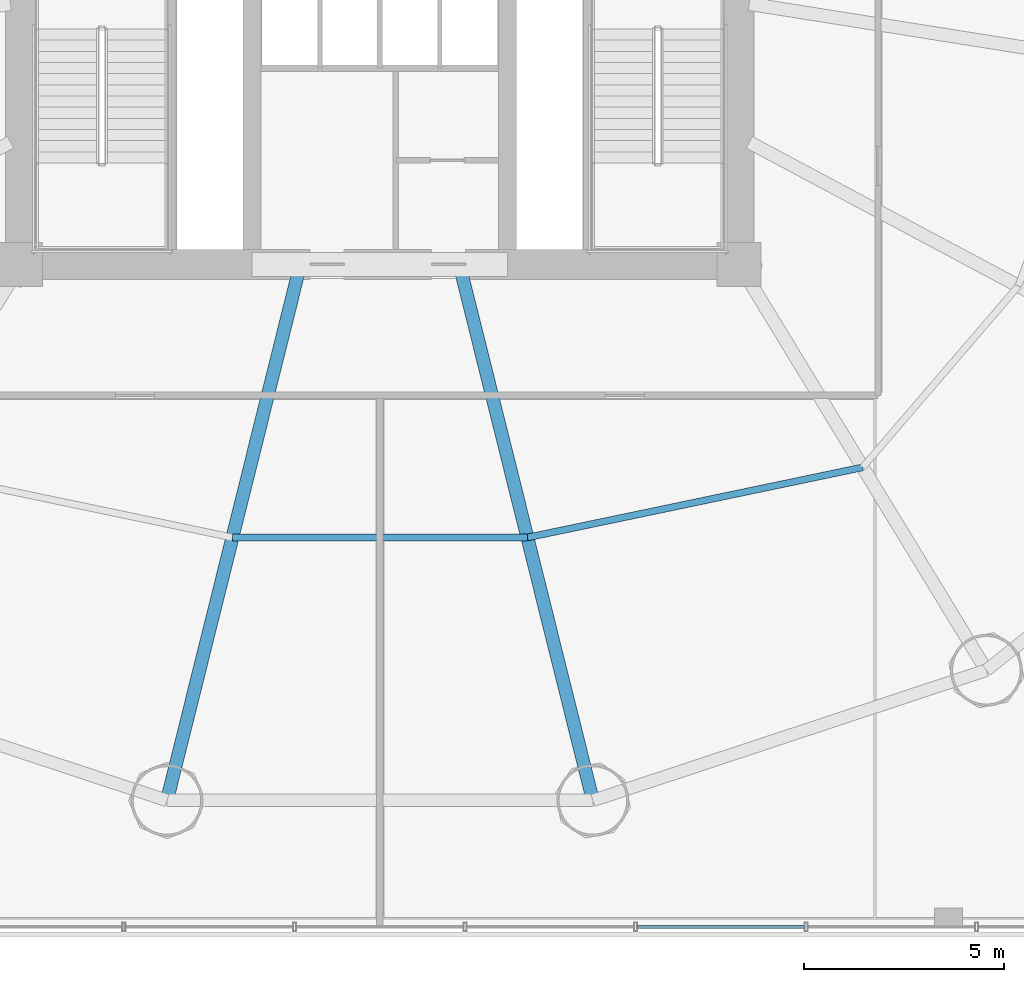
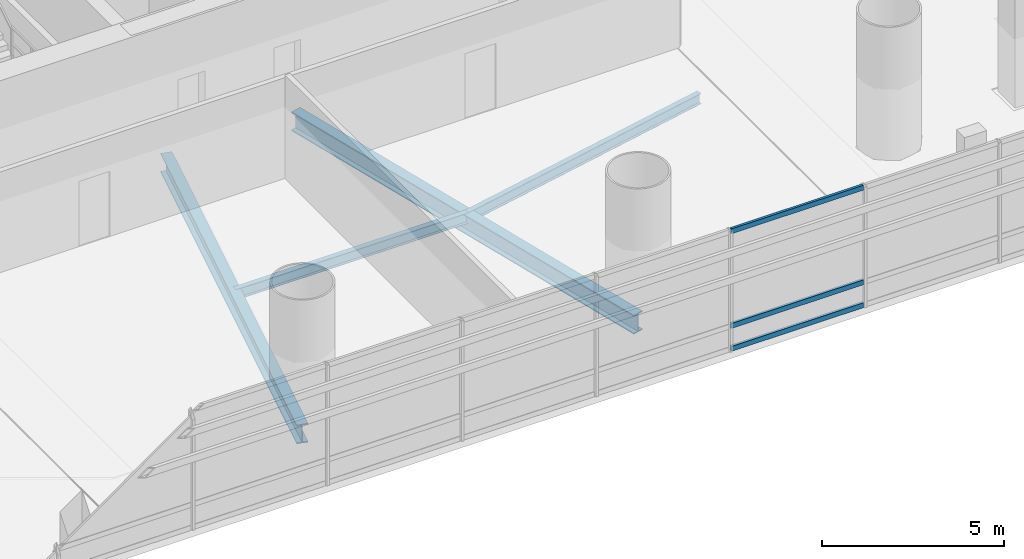
# One storey, part 7 of 36: 4 beams, 3 members, 1 element without a shape of its own.
"""IFC4 building model written with IfcOpenShell, lengths in metres."""

from ifc_helpers import new_model, si_unit, direction, frame, origin, origin_2d, place, context, subcontext, project, spatial, hollow_rectangle, i_section, extrude, source, transform, mapped, material, material_profile, profile_set, type_object, element, aggregate, save


model = new_model("IFC4")

# Units and contexts
model_context = context("Model", 3, precision=1e-05, world=origin(), true_north=direction((-0.2419218956, 0.970295726276)))
body_context = subcontext(model_context, "Body", "Model", "MODEL_VIEW")
ifc_project = project(units=[si_unit("LENGTHUNIT", "METRE"), si_unit("AREAUNIT", "SQUARE_METRE"), si_unit("VOLUMEUNIT", "CUBIC_METRE"), si_unit("PLANEANGLEUNIT", "RADIAN"), si_unit("MASSUNIT", "GRAM", prefix="KILO")], contexts=[model_context])

# Site, building, storey
site_placement = place(None, origin())
site = spatial("IfcSite", under=ifc_project, at=site_placement, CompositionType="ELEMENT")
building_placement = place(site_placement, origin())
building = spatial("IfcBuilding", under=site, at=building_placement, Name="Cobrevalo Terracotta Tower", CompositionType="ELEMENT")
storey_placement = place(building_placement, frame((0.0, 0.0, 14.39990234375)))
storey = spatial("IfcBuildingStorey", under=building, at=storey_placement, Name="L03", CompositionType="ELEMENT", Elevation=14.39990234375)

# Beams
ifc_material_1 = material(Name="Steel S355", Category="steel")
ifc_material_profile_1 = material_profile(ifc_material_1, i_section(OverallWidth=0.3291015625, OverallDepth=0.635009765625, WebThickness=0.017822265625, FlangeThickness=0.031005859375, at=origin_2d()), Name="W 610x241")
ifc_profile_set_1 = profile_set([ifc_material_profile_1], Name="Steel S355")
beam_type_1 = type_object("IfcBeamType", Name="Structural Beam W 610x241 (Steel S355)", PredefinedType="BEAM", material=ifc_profile_set_1)
for number, where, z_axis, x_axis, name in (
    (1, (32.664306640625, 5.369873046875, -0.617431640625), (0.241600470374, 0.970375810042, 0.0), (-0.970375810042, 0.241600470374, 0.0), "L03 radial floor girder 12"),
    (2, (43.335693359375, 5.369873046875, -0.617431640625), (-0.241600470374, 0.970375810042, 0.0), (-0.970375810042, -0.241600470374, 0.0), "L03 radial floor girder 13"),
):
    element("IfcBeam", number, at=place(storey_placement, frame(where, z_axis=z_axis, x_axis=x_axis)), inside=storey, type_object=beam_type_1, Name=name, PredefinedType="BEAM", context=body_context, shape_type="SweptSolid", body=[
        extrude(i_section(OverallWidth=0.3291015625, OverallDepth=0.635009765625, WebThickness=0.017822265625, FlangeThickness=0.031005859375, at=origin_2d()), origin(), (0.0, 0.0, 1.0), 13.5771484375),
    ])
ifc_material_profile_2 = material_profile(ifc_material_1, i_section(OverallWidth=0.1708984375, OverallDepth=0.35498046875, WebThickness=0.007080078125, FlangeThickness=0.01171875, at=origin_2d()), Name="W 360x51")
ifc_profile_set_2 = profile_set([ifc_material_profile_2], Name="Steel S355")
beam_type_2 = type_object("IfcBeamType", Name="Structural Joist W 360x51 (Steel S355)", PredefinedType="JOIST", material=ifc_profile_set_2)
beam_1_placement = place(storey_placement, frame((34.304443359375, 11.95751953125, -0.477294921875), z_axis=(1.0, 0.0, 0.0), x_axis=(0.0, 1.0, 0.0)))
element("IfcBeam", 3, at=beam_1_placement, inside=storey, type_object=beam_type_2, Name="L03 circumferential secondary floor joist 12", PredefinedType="JOIST", context=body_context, shape_type="SweptSolid", body=[
    extrude(i_section(OverallWidth=0.1708984375, OverallDepth=0.35498046875, WebThickness=0.007080078125, FlangeThickness=0.01171875, at=origin_2d()), origin(), (0.0, 0.0, 1.0), 7.39111328125),
])
beam_2_placement = place(storey_placement, frame((41.695556640625, 11.95751953125, -0.477294921875), z_axis=(0.978784523904, 0.204892302848, 0.0), x_axis=(-0.204892302848, 0.978784523904, 0.0)))
element("IfcBeam", 4, at=beam_2_placement, inside=storey, type_object=beam_type_2, Name="L03 circumferential secondary floor joist 13", PredefinedType="JOIST", context=body_context, shape_type="SweptSolid", body=[
    extrude(i_section(OverallWidth=0.1708984375, OverallDepth=0.35498046875, WebThickness=0.007080078125, FlangeThickness=0.01171875, at=origin_2d()), origin(), (0.0, 0.0, 1.0), 8.583984375),
])

# Curtain wall, members
ifc_material_2 = material(Name="Anodized aluminium", Category="aluminium")
curtain_wall_type = type_object("IfcCurtainWallType", Name="Podium gallery & conservatory curtain wall CW-S2", PredefinedType="NOTDEFINED", material=ifc_material_2)
curtain_wall_placement = place(storey_placement, origin())
curtain_wall = element("IfcCurtainWall", 5, at=curtain_wall_placement, inside=storey, type_object=curtain_wall_type, Name="L03 curtain wall CW-POD-L03-S", PredefinedType="NOTDEFINED")
ifc_material_profile_3 = material_profile(ifc_material_2, hollow_rectangle(XDim=0.080078125, YDim=0.1650390625, WallThickness=0.00439453125, at=origin_2d()), Name="CWT 80x165")
ifc_profile_set_3 = profile_set([ifc_material_profile_3], Name="Anodized aluminium")
member_type = type_object("IfcMemberType", Name="Storefront & atrium aluminium transom 80x165", PredefinedType="USERDEFINED", material=ifc_profile_set_3)
shared_shape = source(origin(), body_context, "Body", "SweptSolid", [
    extrude(hollow_rectangle(XDim=0.080078125, YDim=0.1650390625, WallThickness=0.00439453125, at=origin_2d()), origin(), (0.0, 0.0, 1.0), 4.193359375),
])
member_1_placement = place(storey_placement, frame((44.449951171875, 2.199951171875, 0.050048828125), z_axis=(1.0, 0.0, 0.0), x_axis=(0.0, 1.0, 0.0)))
member_1 = element("IfcMember", 6, at=member_1_placement, type_object=member_type, Name="CW-POD-L03-S transom B10-T1", ObjectType="TRANSOM", PredefinedType="USERDEFINED", context=body_context, shape_type="MappedRepresentation", body=[
    mapped(shared_shape, transform((0.0, 0.0, 0.0), scale=1.0)),
])
member_2_placement = place(storey_placement, frame((44.449951171875, 2.199951171875, 0.820068359375), z_axis=(1.0, 0.0, 0.0), x_axis=(0.0, 1.0, 0.0)))
member_2 = element("IfcMember", 7, at=member_2_placement, type_object=member_type, Name="CW-POD-L03-S transom B10-T2", ObjectType="TRANSOM", PredefinedType="USERDEFINED", context=body_context, shape_type="MappedRepresentation", body=[
    mapped(shared_shape, transform((0.0, 0.0, 0.0), scale=1.0)),
])
member_3_placement = place(storey_placement, frame((44.449951171875, 2.199951171875, 4.0), z_axis=(1.0, 0.0, 0.0), x_axis=(0.0, 1.0, 0.0)))
member_3 = element("IfcMember", 8, at=member_3_placement, type_object=member_type, Name="CW-POD-L03-S transom B10-T3", ObjectType="TRANSOM", PredefinedType="USERDEFINED", context=body_context, shape_type="MappedRepresentation", body=[
    mapped(shared_shape, transform((0.0, 0.0, 0.0), scale=1.0)),
])
aggregate(curtain_wall, [member_1, member_2, member_3])

save(model, "model.ifc")
